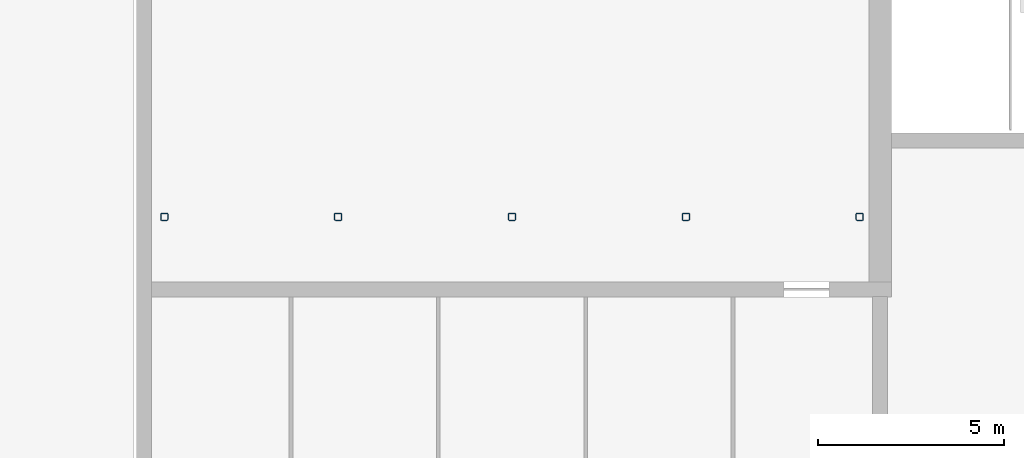
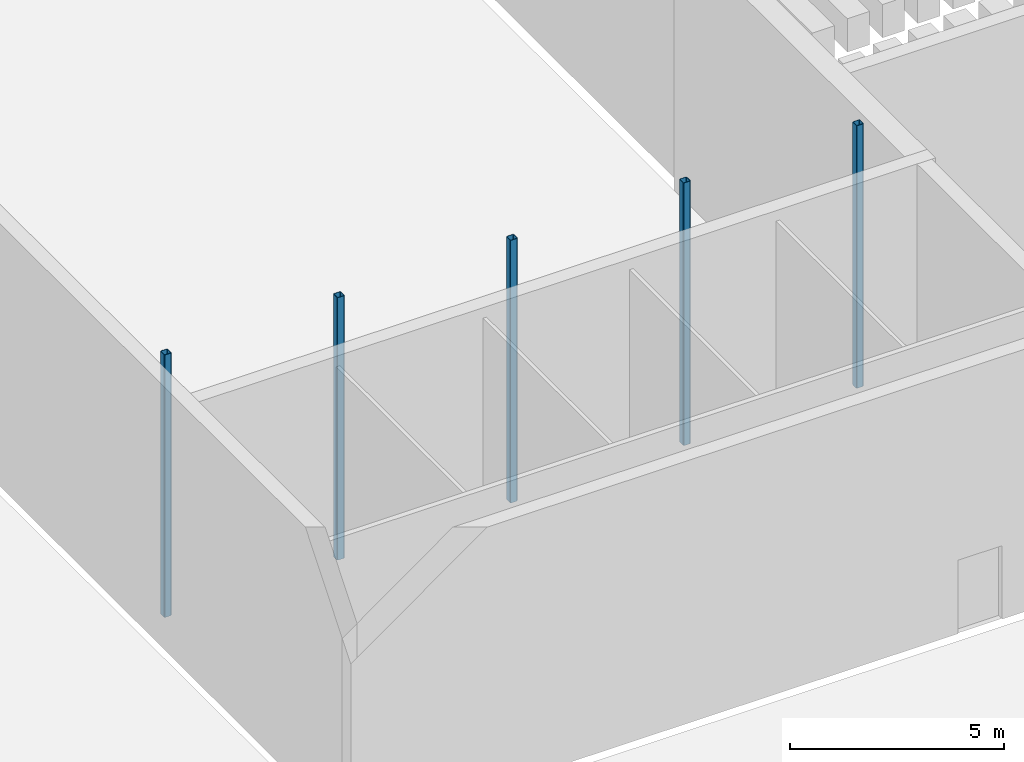
# One storey, part 4 of 79: 5 columns.
"""IFC4 building model written with IfcOpenShell, lengths in metres."""

from ifc_helpers import new_model, si_unit, direction, frame, origin, origin_2d, place, context, subcontext, project, spatial, hollow_rectangle, extrude, material, material_profile, profile_set, type_object, element, save


model = new_model("IFC4")

# Units and contexts
model_context = context("Model", 3, precision=1e-05, world=origin(), true_north=direction((0.0, 1.0)))
body_context = subcontext(model_context, "Body", "Model", "MODEL_VIEW")
ifc_project = project(units=[si_unit("LENGTHUNIT", "METRE"), si_unit("AREAUNIT", "SQUARE_METRE"), si_unit("VOLUMEUNIT", "CUBIC_METRE"), si_unit("PLANEANGLEUNIT", "RADIAN"), si_unit("MASSUNIT", "GRAM", prefix="KILO")], contexts=[model_context])

# Site, building, storey
site_placement = place(None, origin())
site = spatial("IfcSite", under=ifc_project, at=site_placement, CompositionType="ELEMENT")
building_placement = place(site_placement, origin())
building = spatial("IfcBuilding", under=site, at=building_placement, Name="Noorbagh Ring Tower", CompositionType="ELEMENT")
storey_placement = place(building_placement, origin())
storey = spatial("IfcBuildingStorey", under=building, at=storey_placement, Name="L00", CompositionType="ELEMENT", Elevation=0.0)

# Columns
ifc_material = material(Name="Steel S355", Category="steel")
ifc_material_profile = material_profile(ifc_material, hollow_rectangle(XDim=0.199951171875, YDim=0.199951171875, WallThickness=0.012451171875, InnerFilletRadius=0.012451171875, OuterFilletRadius=0.03125, at=origin_2d()), Name="SHS200x200x12.5")
ifc_profile_set = profile_set([ifc_material_profile], Name="Steel S355")
column_type = type_object("IfcColumnType", Name="TH-COL-POST", PredefinedType="COLUMN", material=ifc_profile_set)
for number, where, z_axis, x_axis, name in (
    (1, (-159.25, -11.050048828125, 0.0), (0.0, 0.0, 1.0), (1.0, 0.0, 0.0), "L00/th-col/gal-S0"),
    (2, (-154.574951171875, -11.050048828125, 0.0), (0.0, 0.0, 1.0), (1.0, 0.0, 0.0), "L00/th-col/gal-S1"),
    (3, (-149.89990234375, -11.050048828125, 0.0), (0.0, 0.0, 1.0), (1.0, 0.0, 0.0), "L00/th-col/gal-S2"),
    (4, (-145.22509765625, -11.050048828125, 0.0), (0.0, 0.0, 1.0), (1.0, 0.0, 0.0), "L00/th-col/gal-S3"),
    (5, (-140.550048828125, -11.050048828125, 0.0), (0.0, 0.0, 1.0), (1.0, 0.0, 0.0), "L00/th-col/gal-S4"),
):
    element("IfcColumn", number, at=place(storey_placement, frame(where, z_axis=z_axis, x_axis=x_axis)), inside=storey, type_object=column_type, Name=name, PredefinedType="COLUMN", context=body_context, shape_type="SweptSolid", body=[
        extrude(hollow_rectangle(XDim=0.199951171875, YDim=0.199951171875, WallThickness=0.012451171875, InnerFilletRadius=0.012451171875, OuterFilletRadius=0.03125, at=origin_2d()), origin(), (0.0, 0.0, 1.0), 7.5),
    ])

save(model, "model.ifc")
